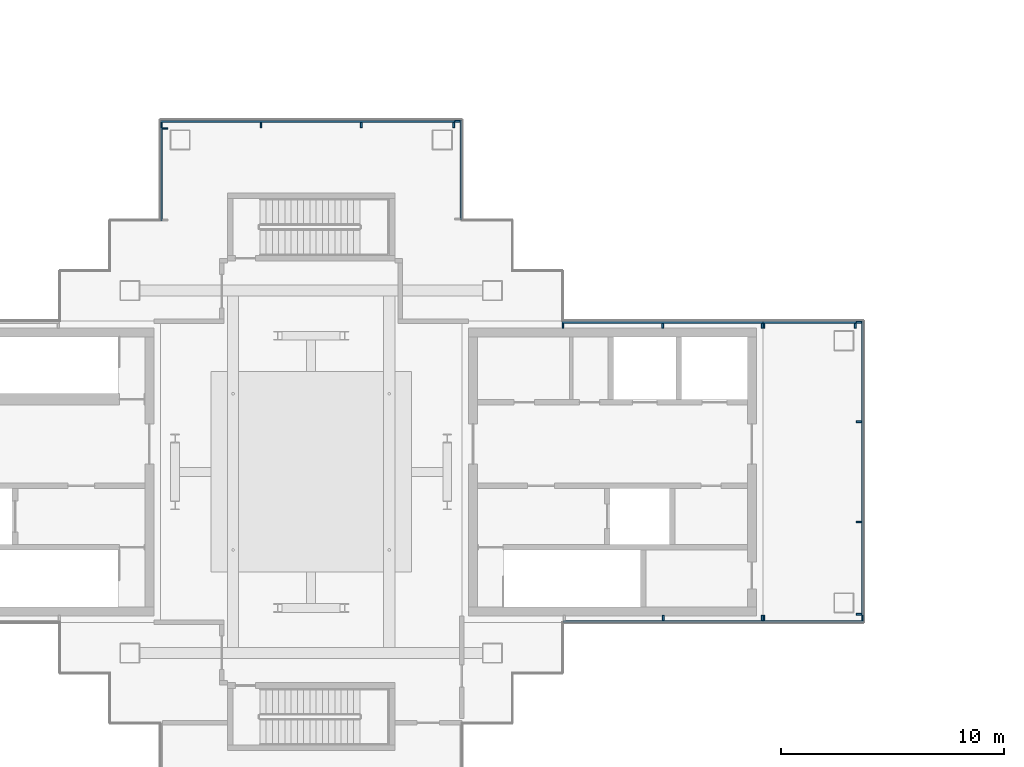
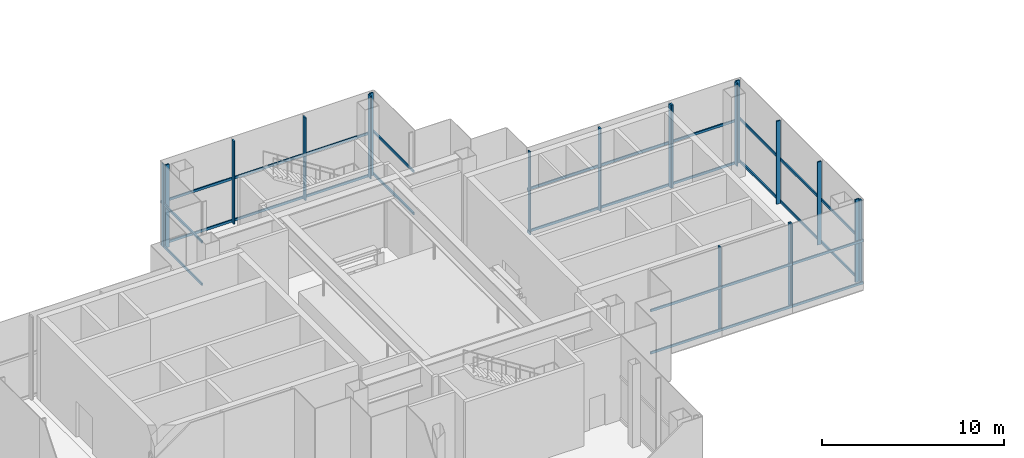
# One storey, part 4 of 17: 35 members, 8 elements without a shape of their own.
"""IFC4 building model written with IfcOpenShell, lengths in metres."""

import ifcopenshell
import ifcopenshell.guid

model = None  # the IFC model being written
_history = None  # IfcOwnerHistory: only IFC2X3 demands one
_inside = {}  # id of a spatial element -> (the spatial element, [elements in it])
_under = {}  # id of a project, library or spatial element -> (it, [spatial elements below it])
_declared = {}  # id of a project -> (the project, [libraries it declares])
_typed = {}  # id of a type object -> (the type object, [elements of that type])
_made_of = {}  # id of a material, layer set ... -> (it, [elements and type objects made of it])


def new_model(schema):
    """Start an empty IFC model of exactly this schema.

    Asked for "IFC4X3", IfcOpenShell would pick the latest addendum, in which some entities
    have other attributes; the version numbers below select the first issue.
    IFC2X3 requires an IfcOwnerHistory on every rooted entity: one is made here for all.
    """
    global model, _history
    if schema == "IFC4X3":
        model = ifcopenshell.file(schema_version=(4, 3, 0, 0))
    else:
        model = ifcopenshell.file(schema=schema)
    _inside.clear()
    _under.clear()
    _declared.clear()
    _typed.clear()
    _made_of.clear()
    _history = None
    if model.schema == "IFC2X3":
        org = make("IfcOrganization", Name="unknown")
        user = make(
            "IfcPersonAndOrganization",
            ThePerson=make("IfcPerson", FamilyName="unknown"),
            TheOrganization=org,
        )
        app = make(
            "IfcApplication",
            ApplicationDeveloper=org,
            Version="unknown",
            ApplicationFullName="unknown",
            ApplicationIdentifier="unknown",
        )
        _history = make(
            "IfcOwnerHistory",
            OwningUser=user,
            OwningApplication=app,
            ChangeAction="ADDED",
            CreationDate=0,
        )
    return model


def make(cls, **values):
    """One entity of the class cls with the attributes given. An attribute that is None is left unset."""
    return model.create_entity(
        cls, **{name: value for name, value in values.items() if value is not None}
    )


def rooted(cls, **values):
    """An entity with a GlobalId (a new one), such as an element, a storey or a relation."""
    return make(cls, GlobalId=ifcopenshell.guid.new(), OwnerHistory=_history, **values)


def si_unit(unit_type, name, prefix=None):
    """IfcSIUnit, for example si_unit("LENGTHUNIT", "METRE", prefix="MILLI")."""
    return make("IfcSIUnit", UnitType=unit_type, Prefix=prefix, Name=name)


def assignment(units):
    """IfcUnitAssignment: the units of a project."""
    return None if units is None else make("IfcUnitAssignment", Units=units)


def point(xyz):
    """IfcCartesianPoint."""
    return None if xyz is None else make("IfcCartesianPoint", Coordinates=xyz)


def direction(xyz):
    """IfcDirection."""
    return None if xyz is None else make("IfcDirection", DirectionRatios=xyz)


def frame(location, z_axis=None, x_axis=None):
    """IfcAxis2Placement3D, a coordinate frame: its origin and axes. An axis left out is left unset."""
    return make(
        "IfcAxis2Placement3D",
        Location=point(location),
        Axis=direction(z_axis),
        RefDirection=direction(x_axis),
    )


def frame_2d(location, x_axis=None):
    """IfcAxis2Placement2D, a coordinate frame in the plane: its origin and x axis."""
    return make(
        "IfcAxis2Placement2D", Location=point(location), RefDirection=direction(x_axis)
    )


def origin():
    """The frame at (0, 0, 0) with its axes left unset."""
    return frame((0.0, 0.0, 0.0))


def origin_2d():
    """The frame at (0, 0) in the plane with its x axis left unset."""
    return frame_2d((0.0, 0.0))


def place(relative_to, where):
    """IfcLocalPlacement: puts the frame where relative to a parent placement (None: the world)."""
    return make(
        "IfcLocalPlacement", PlacementRelTo=relative_to, RelativePlacement=where
    )


def context(
    kind, dimensions, precision=None, world=None, true_north=None, identifier=None
):
    """IfcGeometricRepresentationContext, for example the 3D "Model" context."""
    return make(
        "IfcGeometricRepresentationContext",
        ContextIdentifier=identifier,
        ContextType=kind,
        CoordinateSpaceDimension=dimensions,
        Precision=precision,
        WorldCoordinateSystem=world,
        TrueNorth=true_north,
    )


def subcontext(parent, identifier, kind, view, scale=None):
    """IfcGeometricRepresentationSubContext, for example "Body" below "Model"."""
    return make(
        "IfcGeometricRepresentationSubContext",
        ContextIdentifier=identifier,
        ContextType=kind,
        ParentContext=parent,
        TargetScale=scale,
        TargetView=view,
    )


def project(units=None, contexts=None):
    """IfcProject with its units and contexts."""
    return rooted(
        "IfcProject",
        Name="project",
        RepresentationContexts=contexts,
        UnitsInContext=assignment(units),
    )


def spatial(cls, under=None, at=None, **own):
    """A site, building, storey or space (cls), placed at a placement, below another one or the project."""
    s = rooted(cls, ObjectPlacement=at, **own)
    if under is not None:
        _under.setdefault(under.id(), (under, []))[1].append(s)
    return s


def profile(cls, at=None, kind="AREA", **sizes):
    """A parametric profile (cls). Its sizes go by their IFC names, for example OverallWidth=200.0."""
    return make(cls, ProfileType=kind, Position=at, **sizes)


def rectangle(**sizes):
    """IfcRectangleProfileDef."""
    return profile("IfcRectangleProfileDef", **sizes)


def extrude(swept, where, along, depth):
    """IfcExtrudedAreaSolid: the profile swept, set in the frame where, extruded along a direction by depth."""
    return make(
        "IfcExtrudedAreaSolid",
        SweptArea=swept,
        Position=where,
        ExtrudedDirection=direction(along),
        Depth=depth,
    )


def shape(context_of_items, identifier, shape_type, items):
    """IfcShapeRepresentation: the items that make up one representation, for example the "Body"."""
    return make(
        "IfcShapeRepresentation",
        ContextOfItems=context_of_items,
        RepresentationIdentifier=identifier,
        RepresentationType=shape_type,
        Items=items,
    )


def material(Name=None, Category=None):
    """IfcMaterial."""
    return make("IfcMaterial", Name=Name, Category=Category)


def layer(
    of_material, thickness, ventilated=None, Name=None, Category=None, Priority=None
):
    """IfcMaterialLayer: one layer of a wall or slab, of a material (None: an air gap)."""
    return make(
        "IfcMaterialLayer",
        Material=of_material,
        LayerThickness=thickness,
        IsVentilated=ventilated,
        Name=Name,
        Category=Category,
        Priority=Priority,
    )


def layer_set(layers, Name=None):
    """IfcMaterialLayerSet."""
    return make("IfcMaterialLayerSet", MaterialLayers=layers, LayerSetName=Name)


def material_profile(
    of_material, cross_section, Name=None, Category=None, Priority=None
):
    """IfcMaterialProfile: a cross section and its material."""
    return make(
        "IfcMaterialProfile",
        Name=Name,
        Material=of_material,
        Profile=cross_section,
        Priority=Priority,
        Category=Category,
    )


def profile_set(profiles, Name=None, composite=None):
    """IfcMaterialProfileSet."""
    return make(
        "IfcMaterialProfileSet",
        Name=Name,
        MaterialProfiles=profiles,
        CompositeProfile=composite,
    )


def made_of(thing, what):
    """Note that an element or type object is made of a material, layer set ...; save() writes the relation."""
    if what is not None:
        _made_of.setdefault(what.id(), (what, []))[1].append(thing)
    return thing


def type_object(cls, material=None, **own):
    """A type object (cls), such as IfcWallType, which elements share."""
    return made_of(rooted(cls, **own), material)


def element(
    cls,
    number,
    at=None,
    inside=None,
    cuts=None,
    type_object=None,
    material=None,
    context=None,
    identifier="Body",
    shape_type=None,
    held_by="IfcProductDefinitionShape",
    body=None,
    shapes=None,
    **own,
):
    """One element of the class cls, such as IfcWall. Its Tag is "e" and its number.

    at: its placement. inside: the storey or other place that contains it. cuts: it is an
    opening in that element (IfcRelVoidsElement). A single representation is given by context,
    identifier, shape_type and body (its items); several are given by shapes. held_by: the class
    of the entity that holds the representations. save() writes the other relations.
    """
    e = rooted(cls, Tag="e%d" % number, ObjectPlacement=at, **own)
    if body is not None:
        shapes = [shape(context, identifier, shape_type, body)]
    if shapes is not None:
        e.Representation = make(held_by, Representations=shapes)
    if inside is not None:
        _inside.setdefault(inside.id(), (inside, []))[1].append(e)
    if cuts is not None:
        rooted(
            "IfcRelVoidsElement", RelatingBuildingElement=cuts, RelatedOpeningElement=e
        )
    if type_object is not None:
        _typed.setdefault(type_object.id(), (type_object, []))[1].append(e)
    return made_of(e, material)


def aggregate(whole, parts):
    """IfcRelAggregates: a whole, such as a stair, and the parts it consists of."""
    return rooted("IfcRelAggregates", RelatingObject=whole, RelatedObjects=parts)


def save(model, path):
    """Write the relations noted so far, then the file.

    IfcRelAggregates (storeys below a building ...), IfcRelContainedInSpatialStructure (elements
    in a storey), IfcRelDefinesByType, IfcRelAssociatesMaterial and IfcRelDeclares: one each for
    every whole, place, type object, material and project.
    """
    for whole, parts in _under.values():
        aggregate(whole, parts)
    for where, things in _inside.values():
        rooted(
            "IfcRelContainedInSpatialStructure",
            RelatedElements=things,
            RelatingStructure=where,
        )
    for kind, things in _typed.values():
        rooted("IfcRelDefinesByType", RelatedObjects=things, RelatingType=kind)
    for what, things in _made_of.values():
        rooted("IfcRelAssociatesMaterial", RelatedObjects=things, RelatingMaterial=what)
    for by, libraries in _declared.values():
        rooted("IfcRelDeclares", RelatingContext=by, RelatedDefinitions=libraries)
    model.write(path)


model = new_model("IFC4")

# Units and contexts
model_context = context("Model", 3, precision=1e-05, world=origin(), true_north=direction((0.0, 1.0)))
body_context = subcontext(model_context, "Body", "Model", "MODEL_VIEW")
ifc_project = project(units=[si_unit("LENGTHUNIT", "METRE"), si_unit("AREAUNIT", "SQUARE_METRE"), si_unit("VOLUMEUNIT", "CUBIC_METRE"), si_unit("PLANEANGLEUNIT", "RADIAN"), si_unit("MASSUNIT", "GRAM", prefix="KILO")], contexts=[model_context])

# Site, building, storey
site_placement = place(None, origin())
site = spatial("IfcSite", under=ifc_project, at=site_placement, CompositionType="ELEMENT")
building_placement = place(site_placement, origin())
building = spatial("IfcBuilding", under=site, at=building_placement, Name="Shamsa Quay Exchange Towers", CompositionType="ELEMENT")
storey_placement = place(building_placement, frame((0.0, 0.0, 278.300048828125)))
storey = spatial("IfcBuildingStorey", under=building, at=storey_placement, Name="L67", CompositionType="ELEMENT", Elevation=278.300048828125)

# Curtain wall, members
ifc_material = material(Name="Aluminium EN AW-6063 T6, black anodised", Category="aluminium")
ifc_layer = layer(ifc_material, 0.364013671875)
ifc_layer_set = layer_set([ifc_layer], Name="CW-5 LANTERN GLAZING")
curtain_wall_type = type_object("IfcCurtainWallType", Name="CW-5 LANTERN GLAZING", PredefinedType="NOTDEFINED", material=ifc_layer_set)
curtain_wall_1_placement = place(storey_placement, origin())
curtain_wall_1 = element("IfcCurtainWall", 1, at=curtain_wall_1_placement, inside=storey, type_object=curtain_wall_type, Name="CW5 T1-FLK-U+S L67", PredefinedType="NOTDEFINED")
ifc_material_profile_1 = material_profile(ifc_material, rectangle(XDim=0.239990234375, YDim=0.080078125, at=origin_2d()), Name="MU80x240")
ifc_profile_set_1 = profile_set([ifc_material_profile_1], Name="Aluminium EN AW-6063 T6, black anodised")
member_type_1 = type_object("IfcMemberType", Name="CW5 MULLION 80x240", PredefinedType="MULLION", material=ifc_profile_set_1)
member_1_placement = place(storey_placement, frame((-17.97705078125, -6.550048828125, 0.0), z_axis=(0.0, 0.0, 1.0), x_axis=(0.0, 1.0, 0.0)))
member_1 = element("IfcMember", 2, at=member_1_placement, type_object=member_type_1, Name="CW5 mullion", PredefinedType="MULLION", context=body_context, shape_type="SweptSolid", body=[
    extrude(rectangle(XDim=0.239990234375, YDim=0.080078125, at=origin_2d()), origin(), (0.0, 0.0, 1.0), 5.550048828125),
])
member_2_placement = place(storey_placement, frame((-13.5400390625, -6.550048828125, 0.0), z_axis=(0.0, 0.0, 1.0), x_axis=(0.0, 1.0, 0.0)))
member_2 = element("IfcMember", 3, at=member_2_placement, type_object=member_type_1, Name="CW5 mullion", PredefinedType="MULLION", context=body_context, shape_type="SweptSolid", body=[
    extrude(rectangle(XDim=0.239990234375, YDim=0.080078125, at=origin_2d()), origin(), (0.0, 0.0, 1.0), 5.550048828125),
])

curtain_wall_2_placement = place(storey_placement, origin())
curtain_wall_2 = element("IfcCurtainWall", 4, at=curtain_wall_2_placement, inside=storey, type_object=curtain_wall_type, Name="CW5 T1-FLK-U+S L67", PredefinedType="NOTDEFINED")
member_3_placement = place(storey_placement, frame((-13.4599609375, -6.550048828125, 0.0), z_axis=(0.0, 0.0, 1.0), x_axis=(0.0, 1.0, 0.0)))
member_3 = element("IfcMember", 5, at=member_3_placement, type_object=member_type_1, Name="CW5 mullion", PredefinedType="MULLION", context=body_context, shape_type="SweptSolid", body=[
    extrude(rectangle(XDim=0.239990234375, YDim=0.080078125, at=origin_2d()), origin(), (0.0, 0.0, 1.0), 5.550048828125),
])
member_4_placement = place(storey_placement, frame((-9.0400390625, -6.550048828125, 0.0), z_axis=(0.0, 0.0, 1.0), x_axis=(0.0, 1.0, 0.0)))
member_4 = element("IfcMember", 6, at=member_4_placement, type_object=member_type_1, Name="CW5 mullion", PredefinedType="MULLION", context=body_context, shape_type="SweptSolid", body=[
    extrude(rectangle(XDim=0.239990234375, YDim=0.080078125, at=origin_2d()), origin(), (0.0, 0.0, 1.0), 5.550048828125),
])

curtain_wall_3_placement = place(storey_placement, origin())
curtain_wall_3 = element("IfcCurtainWall", 7, at=curtain_wall_3_placement, inside=storey, type_object=curtain_wall_type, Name="CW5 T1-END-U+ L67", PredefinedType="NOTDEFINED")
member_5_placement = place(storey_placement, frame((-9.199951171875, -6.387939453125, 0.0), z_axis=(0.0, 0.0, 1.0), x_axis=(-1.0, 0.0, 0.0)))
member_5 = element("IfcMember", 8, at=member_5_placement, type_object=member_type_1, Name="CW5 mullion", PredefinedType="MULLION", context=body_context, shape_type="SweptSolid", body=[
    extrude(rectangle(XDim=0.239990234375, YDim=0.080078125, at=origin_2d()), origin(), (0.0, 0.0, 1.0), 5.550048828125),
])
member_6_placement = place(storey_placement, frame((-9.199951171875, -2.25, 0.0), z_axis=(0.0, 0.0, 1.0), x_axis=(-1.0, 0.0, 0.0)))
member_6 = element("IfcMember", 9, at=member_6_placement, type_object=member_type_1, Name="CW5 mullion", PredefinedType="MULLION", context=body_context, shape_type="SweptSolid", body=[
    extrude(rectangle(XDim=0.239990234375, YDim=0.080078125, at=origin_2d()), origin(), (0.0, 0.0, 1.0), 5.550048828125),
])
member_7_placement = place(storey_placement, frame((-9.199951171875, 2.25, 0.0), z_axis=(0.0, 0.0, 1.0), x_axis=(-1.0, 0.0, 0.0)))
member_7 = element("IfcMember", 10, at=member_7_placement, type_object=member_type_1, Name="CW5 mullion", PredefinedType="MULLION", context=body_context, shape_type="SweptSolid", body=[
    extrude(rectangle(XDim=0.239990234375, YDim=0.080078125, at=origin_2d()), origin(), (0.0, 0.0, 1.0), 5.550048828125),
])
member_8_placement = place(storey_placement, frame((-9.199951171875, 6.7099609375, 0.0), z_axis=(0.0, 0.0, 1.0), x_axis=(-1.0, 0.0, 0.0)))
member_8 = element("IfcMember", 11, at=member_8_placement, type_object=member_type_1, Name="CW5 mullion", PredefinedType="MULLION", context=body_context, shape_type="SweptSolid", body=[
    extrude(rectangle(XDim=0.239990234375, YDim=0.080078125, at=origin_2d()), origin(), (0.0, 0.0, 1.0), 5.550048828125),
])

curtain_wall_4_placement = place(storey_placement, origin())
curtain_wall_4 = element("IfcCurtainWall", 12, at=curtain_wall_4_placement, inside=storey, type_object=curtain_wall_type, Name="CW5 T1-FLK-U+N L67", PredefinedType="NOTDEFINED")
member_9_placement = place(storey_placement, frame((-9.362060546875, 6.550048828125, 0.0), z_axis=(0.0, 0.0, 1.0), x_axis=(0.0, -1.0, 0.0)))
member_9 = element("IfcMember", 13, at=member_9_placement, type_object=member_type_1, Name="CW5 mullion", PredefinedType="MULLION", context=body_context, shape_type="SweptSolid", body=[
    extrude(rectangle(XDim=0.239990234375, YDim=0.080078125, at=origin_2d()), origin(), (0.0, 0.0, 1.0), 5.550048828125),
])
member_10_placement = place(storey_placement, frame((-13.4599609375, 6.550048828125, 0.0), z_axis=(0.0, 0.0, 1.0), x_axis=(0.0, -1.0, 0.0)))
member_10 = element("IfcMember", 14, at=member_10_placement, type_object=member_type_1, Name="CW5 mullion", PredefinedType="MULLION", context=body_context, shape_type="SweptSolid", body=[
    extrude(rectangle(XDim=0.239990234375, YDim=0.080078125, at=origin_2d()), origin(), (0.0, 0.0, 1.0), 5.550048828125),
])

curtain_wall_5_placement = place(storey_placement, origin())
curtain_wall_5 = element("IfcCurtainWall", 15, at=curtain_wall_5_placement, inside=storey, type_object=curtain_wall_type, Name="CW5 T1-FLK-U+N L67", PredefinedType="NOTDEFINED")
member_11_placement = place(storey_placement, frame((-13.5400390625, 6.550048828125, 0.0), z_axis=(0.0, 0.0, 1.0), x_axis=(0.0, -1.0, 0.0)))
member_11 = element("IfcMember", 16, at=member_11_placement, type_object=member_type_1, Name="CW5 mullion", PredefinedType="MULLION", context=body_context, shape_type="SweptSolid", body=[
    extrude(rectangle(XDim=0.239990234375, YDim=0.080078125, at=origin_2d()), origin(), (0.0, 0.0, 1.0), 5.550048828125),
])
member_12_placement = place(storey_placement, frame((-18.0, 6.550048828125, 0.0), z_axis=(0.0, 0.0, 1.0), x_axis=(0.0, -1.0, 0.0)))
member_12 = element("IfcMember", 17, at=member_12_placement, type_object=member_type_1, Name="CW5 mullion", PredefinedType="MULLION", context=body_context, shape_type="SweptSolid", body=[
    extrude(rectangle(XDim=0.239990234375, YDim=0.080078125, at=origin_2d()), origin(), (0.0, 0.0, 1.0), 5.550048828125),
])
member_13_placement = place(storey_placement, frame((-22.4599609375, 6.550048828125, 0.0), z_axis=(0.0, 0.0, 1.0), x_axis=(0.0, -1.0, 0.0)))
member_13 = element("IfcMember", 18, at=member_13_placement, type_object=member_type_1, Name="CW5 mullion", PredefinedType="MULLION", context=body_context, shape_type="SweptSolid", body=[
    extrude(rectangle(XDim=0.239990234375, YDim=0.080078125, at=origin_2d()), origin(), (0.0, 0.0, 1.0), 5.550048828125),
])

# Curtain wall, member
curtain_wall_6_placement = place(storey_placement, origin())
curtain_wall_6 = element("IfcCurtainWall", 19, at=curtain_wall_6_placement, inside=storey, type_object=curtain_wall_type, Name="CW5 T1-FLK-V+E L67", PredefinedType="NOTDEFINED")
member_14_placement = place(storey_placement, frame((-27.199951171875, 15.7099609375, 0.0), z_axis=(0.0, 0.0, 1.0), x_axis=(-1.0, 0.0, 0.0)))
member_14 = element("IfcMember", 20, at=member_14_placement, type_object=member_type_1, Name="CW5 mullion", PredefinedType="MULLION", context=body_context, shape_type="SweptSolid", body=[
    extrude(rectangle(XDim=0.239990234375, YDim=0.080078125, at=origin_2d()), origin(), (0.0, 0.0, 1.0), 5.550048828125),
])

# Curtain wall, members
curtain_wall_7_placement = place(storey_placement, origin())
curtain_wall_7 = element("IfcCurtainWall", 21, at=curtain_wall_7_placement, inside=storey, type_object=curtain_wall_type, Name="CW5 T1-END-V+ L67", PredefinedType="NOTDEFINED")
member_15_placement = place(storey_placement, frame((-27.362060546875, 15.550048828125, 0.0), z_axis=(0.0, 0.0, 1.0), x_axis=(0.0, -1.0, 0.0)))
member_15 = element("IfcMember", 22, at=member_15_placement, type_object=member_type_1, Name="CW5 mullion", PredefinedType="MULLION", context=body_context, shape_type="SweptSolid", body=[
    extrude(rectangle(XDim=0.239990234375, YDim=0.080078125, at=origin_2d()), origin(), (0.0, 0.0, 1.0), 5.550048828125),
])
member_16_placement = place(storey_placement, frame((-31.5, 15.550048828125, 0.0), z_axis=(0.0, 0.0, 1.0), x_axis=(0.0, -1.0, 0.0)))
member_16 = element("IfcMember", 23, at=member_16_placement, type_object=member_type_1, Name="CW5 mullion", PredefinedType="MULLION", context=body_context, shape_type="SweptSolid", body=[
    extrude(rectangle(XDim=0.239990234375, YDim=0.080078125, at=origin_2d()), origin(), (0.0, 0.0, 1.0), 5.550048828125),
])
member_17_placement = place(storey_placement, frame((-36.0, 15.550048828125, 0.0), z_axis=(0.0, 0.0, 1.0), x_axis=(0.0, -1.0, 0.0)))
member_17 = element("IfcMember", 24, at=member_17_placement, type_object=member_type_1, Name="CW5 mullion", PredefinedType="MULLION", context=body_context, shape_type="SweptSolid", body=[
    extrude(rectangle(XDim=0.239990234375, YDim=0.080078125, at=origin_2d()), origin(), (0.0, 0.0, 1.0), 5.550048828125),
])
member_18_placement = place(storey_placement, frame((-40.4599609375, 15.550048828125, 0.0), z_axis=(0.0, 0.0, 1.0), x_axis=(0.0, -1.0, 0.0)))
member_18 = element("IfcMember", 25, at=member_18_placement, type_object=member_type_1, Name="CW5 mullion", PredefinedType="MULLION", context=body_context, shape_type="SweptSolid", body=[
    extrude(rectangle(XDim=0.239990234375, YDim=0.080078125, at=origin_2d()), origin(), (0.0, 0.0, 1.0), 5.550048828125),
])

# Curtain wall, member
curtain_wall_8_placement = place(storey_placement, origin())
curtain_wall_8 = element("IfcCurtainWall", 26, at=curtain_wall_8_placement, inside=storey, type_object=curtain_wall_type, Name="CW5 T1-FLK-V+W L67", PredefinedType="NOTDEFINED")
member_19_placement = place(storey_placement, frame((-40.300048828125, 15.387939453125, 0.0)))
member_19 = element("IfcMember", 27, at=member_19_placement, type_object=member_type_1, Name="CW5 mullion", PredefinedType="MULLION", context=body_context, shape_type="SweptSolid", body=[
    extrude(rectangle(XDim=0.239990234375, YDim=0.080078125, at=origin_2d()), origin(), (0.0, 0.0, 1.0), 5.550048828125),
])

# Member
ifc_material_profile_2 = material_profile(ifc_material, rectangle(XDim=0.080078125, YDim=0.159912109375, at=origin_2d()), Name="TR160x80")
ifc_profile_set_2 = profile_set([ifc_material_profile_2], Name="Aluminium EN AW-6063 T6, black anodised")
member_type_2 = type_object("IfcMemberType", Name="CW5 TRANSOM 160x80", PredefinedType="USERDEFINED", material=ifc_profile_set_2)
member_20_placement = place(storey_placement, frame((-22.4541015625, -6.7099609375, 0.079833984375), z_axis=(1.0, 0.0, 0.0), x_axis=(0.0, 1.0, 0.0)))
member_20 = element("IfcMember", 28, at=member_20_placement, type_object=member_type_2, Name="CW5 transom", ObjectType="TRANSOM", PredefinedType="USERDEFINED", context=body_context, shape_type="SweptSolid", body=[
    extrude(rectangle(XDim=0.080078125, YDim=0.159912109375, at=origin_2d()), origin(), (0.0, 0.0, 1.0), 8.9541015625),
])

member_21_placement = place(storey_placement, frame((-22.4541015625, -6.7099609375, 2.905029296875), z_axis=(1.0, 0.0, 0.0), x_axis=(0.0, 1.0, 0.0)))
member_21 = element("IfcMember", 29, at=member_21_placement, type_object=member_type_2, Name="CW5 transom", ObjectType="TRANSOM", PredefinedType="USERDEFINED", context=body_context, shape_type="SweptSolid", body=[
    extrude(rectangle(XDim=0.080078125, YDim=0.159912109375, at=origin_2d()), origin(), (0.0, 0.0, 1.0), 8.9541015625),
])

aggregate(curtain_wall_1, [member_20, member_21, member_1, member_2])

member_22_placement = place(storey_placement, frame((-13.5, -6.7099609375, 0.079833984375), z_axis=(1.0, 0.0, 0.0), x_axis=(0.0, 1.0, 0.0)))
member_22 = element("IfcMember", 30, at=member_22_placement, type_object=member_type_2, Name="CW5 transom", ObjectType="TRANSOM", PredefinedType="USERDEFINED", context=body_context, shape_type="SweptSolid", body=[
    extrude(rectangle(XDim=0.080078125, YDim=0.159912109375, at=origin_2d()), origin(), (0.0, 0.0, 1.0), 4.5),
])

member_23_placement = place(storey_placement, frame((-13.5, -6.7099609375, 2.905029296875), z_axis=(1.0, 0.0, 0.0), x_axis=(0.0, 1.0, 0.0)))
member_23 = element("IfcMember", 31, at=member_23_placement, type_object=member_type_2, Name="CW5 transom", ObjectType="TRANSOM", PredefinedType="USERDEFINED", context=body_context, shape_type="SweptSolid", body=[
    extrude(rectangle(XDim=0.080078125, YDim=0.159912109375, at=origin_2d()), origin(), (0.0, 0.0, 1.0), 4.5),
])

aggregate(curtain_wall_2, [member_22, member_23, member_3, member_4])

member_24_placement = place(storey_placement, frame((-9.0400390625, -6.427978515625, 0.079833984375), z_axis=(0.0, 1.0, 0.0), x_axis=(-1.0, 0.0, 0.0)))
member_24 = element("IfcMember", 32, at=member_24_placement, type_object=member_type_2, Name="CW5 transom", ObjectType="TRANSOM", PredefinedType="USERDEFINED", context=body_context, shape_type="SweptSolid", body=[
    extrude(rectangle(XDim=0.080078125, YDim=0.159912109375, at=origin_2d()), origin(), (0.0, 0.0, 1.0), 13.177978515625),
])

member_25_placement = place(storey_placement, frame((-9.0400390625, -6.427978515625, 2.905029296875), z_axis=(0.0, 1.0, 0.0), x_axis=(-1.0, 0.0, 0.0)))
member_25 = element("IfcMember", 33, at=member_25_placement, type_object=member_type_2, Name="CW5 transom", ObjectType="TRANSOM", PredefinedType="USERDEFINED", context=body_context, shape_type="SweptSolid", body=[
    extrude(rectangle(XDim=0.080078125, YDim=0.159912109375, at=origin_2d()), origin(), (0.0, 0.0, 1.0), 13.177978515625),
])

aggregate(curtain_wall_3, [member_24, member_25, member_5, member_6, member_7, member_8])

member_26_placement = place(storey_placement, frame((-9.322021484375, 6.7099609375, 0.079833984375), z_axis=(-1.0, 0.0, 0.0), x_axis=(0.0, -1.0, 0.0)))
member_26 = element("IfcMember", 34, at=member_26_placement, type_object=member_type_2, Name="CW5 transom", ObjectType="TRANSOM", PredefinedType="USERDEFINED", context=body_context, shape_type="SweptSolid", body=[
    extrude(rectangle(XDim=0.080078125, YDim=0.159912109375, at=origin_2d()), origin(), (0.0, 0.0, 1.0), 4.177978515625),
])

member_27_placement = place(storey_placement, frame((-9.322021484375, 6.7099609375, 2.905029296875), z_axis=(-1.0, 0.0, 0.0), x_axis=(0.0, -1.0, 0.0)))
member_27 = element("IfcMember", 35, at=member_27_placement, type_object=member_type_2, Name="CW5 transom", ObjectType="TRANSOM", PredefinedType="USERDEFINED", context=body_context, shape_type="SweptSolid", body=[
    extrude(rectangle(XDim=0.080078125, YDim=0.159912109375, at=origin_2d()), origin(), (0.0, 0.0, 1.0), 4.177978515625),
])

aggregate(curtain_wall_4, [member_26, member_27, member_9, member_10])

member_28_placement = place(storey_placement, frame((-13.5, 6.7099609375, 0.079833984375), z_axis=(-1.0, 0.0, 0.0), x_axis=(0.0, -1.0, 0.0)))
member_28 = element("IfcMember", 36, at=member_28_placement, type_object=member_type_2, Name="CW5 transom", ObjectType="TRANSOM", PredefinedType="USERDEFINED", context=body_context, shape_type="SweptSolid", body=[
    extrude(rectangle(XDim=0.080078125, YDim=0.159912109375, at=origin_2d()), origin(), (0.0, 0.0, 1.0), 9.0),
])

member_29_placement = place(storey_placement, frame((-13.5, 6.7099609375, 2.905029296875), z_axis=(-1.0, 0.0, 0.0), x_axis=(0.0, -1.0, 0.0)))
member_29 = element("IfcMember", 37, at=member_29_placement, type_object=member_type_2, Name="CW5 transom", ObjectType="TRANSOM", PredefinedType="USERDEFINED", context=body_context, shape_type="SweptSolid", body=[
    extrude(rectangle(XDim=0.080078125, YDim=0.159912109375, at=origin_2d()), origin(), (0.0, 0.0, 1.0), 9.0),
])

aggregate(curtain_wall_5, [member_28, member_29, member_11, member_12, member_13])

member_30_placement = place(storey_placement, frame((-27.0400390625, 11.2958984375, 0.079833984375), z_axis=(0.0, 1.0, 0.0), x_axis=(-1.0, 0.0, 0.0)))
member_30 = element("IfcMember", 38, at=member_30_placement, type_object=member_type_2, Name="CW5 transom", ObjectType="TRANSOM", PredefinedType="USERDEFINED", context=body_context, shape_type="SweptSolid", body=[
    extrude(rectangle(XDim=0.080078125, YDim=0.159912109375, at=origin_2d()), origin(), (0.0, 0.0, 1.0), 4.4541015625),
])

member_31_placement = place(storey_placement, frame((-27.0400390625, 11.2958984375, 2.905029296875), z_axis=(0.0, 1.0, 0.0), x_axis=(-1.0, 0.0, 0.0)))
member_31 = element("IfcMember", 39, at=member_31_placement, type_object=member_type_2, Name="CW5 transom", ObjectType="TRANSOM", PredefinedType="USERDEFINED", context=body_context, shape_type="SweptSolid", body=[
    extrude(rectangle(XDim=0.080078125, YDim=0.159912109375, at=origin_2d()), origin(), (0.0, 0.0, 1.0), 4.4541015625),
])

aggregate(curtain_wall_6, [member_30, member_31, member_14])

member_32_placement = place(storey_placement, frame((-27.322021484375, 15.7099609375, 0.079833984375), z_axis=(-1.0, 0.0, 0.0), x_axis=(0.0, -1.0, 0.0)))
member_32 = element("IfcMember", 40, at=member_32_placement, type_object=member_type_2, Name="CW5 transom", ObjectType="TRANSOM", PredefinedType="USERDEFINED", context=body_context, shape_type="SweptSolid", body=[
    extrude(rectangle(XDim=0.080078125, YDim=0.159912109375, at=origin_2d()), origin(), (0.0, 0.0, 1.0), 13.177978515625),
])

member_33_placement = place(storey_placement, frame((-27.322021484375, 15.7099609375, 2.905029296875), z_axis=(-1.0, 0.0, 0.0), x_axis=(0.0, -1.0, 0.0)))
member_33 = element("IfcMember", 41, at=member_33_placement, type_object=member_type_2, Name="CW5 transom", ObjectType="TRANSOM", PredefinedType="USERDEFINED", context=body_context, shape_type="SweptSolid", body=[
    extrude(rectangle(XDim=0.080078125, YDim=0.159912109375, at=origin_2d()), origin(), (0.0, 0.0, 1.0), 13.177978515625),
])

aggregate(curtain_wall_7, [member_32, member_33, member_15, member_16, member_17, member_18])

member_34_placement = place(storey_placement, frame((-40.4599609375, 15.427978515625, 0.079833984375), z_axis=(0.0, -1.0, 0.0), x_axis=(1.0, 0.0, 0.0)))
member_34 = element("IfcMember", 42, at=member_34_placement, type_object=member_type_2, Name="CW5 transom", ObjectType="TRANSOM", PredefinedType="USERDEFINED", context=body_context, shape_type="SweptSolid", body=[
    extrude(rectangle(XDim=0.080078125, YDim=0.159912109375, at=origin_2d()), origin(), (0.0, 0.0, 1.0), 4.177978515625),
])

member_35_placement = place(storey_placement, frame((-40.4599609375, 15.427978515625, 2.905029296875), z_axis=(0.0, -1.0, 0.0), x_axis=(1.0, 0.0, 0.0)))
member_35 = element("IfcMember", 43, at=member_35_placement, type_object=member_type_2, Name="CW5 transom", ObjectType="TRANSOM", PredefinedType="USERDEFINED", context=body_context, shape_type="SweptSolid", body=[
    extrude(rectangle(XDim=0.080078125, YDim=0.159912109375, at=origin_2d()), origin(), (0.0, 0.0, 1.0), 4.177978515625),
])

aggregate(curtain_wall_8, [member_34, member_35, member_19])

save(model, "model.ifc")
